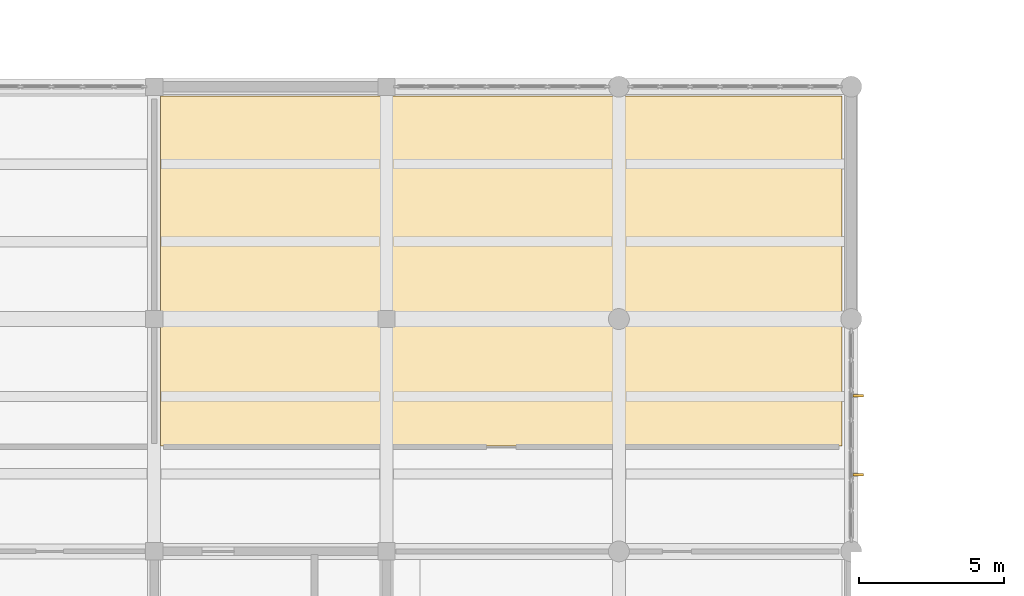
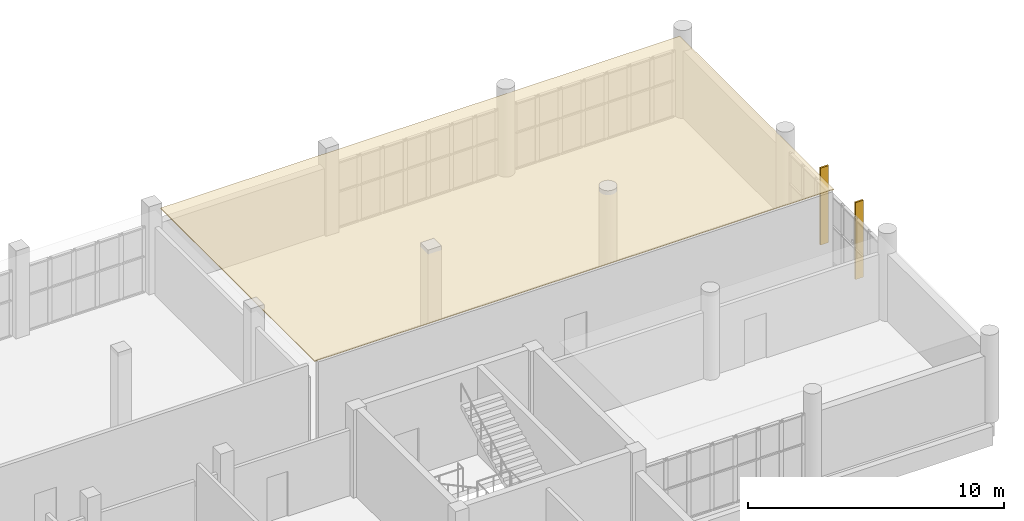
# One storey, part 84 of 85: 2 shading devices, 1 covering.
"""IFC4 building model written with IfcOpenShell, lengths in metres."""

from ifc_helpers import new_model, si_unit, direction, frame, origin, origin_2d, place, context, subcontext, project, spatial, polyline, rectangle, outline, extrude, material, layer, layer_set, type_object, element, save


model = new_model("IFC4")

# Units and contexts
model_context = context("Model", 3, precision=1e-05, world=origin(), true_north=direction((0.0, 1.0)))
body_context = subcontext(model_context, "Body", "Model", "MODEL_VIEW")
ifc_project = project(units=[si_unit("LENGTHUNIT", "METRE"), si_unit("AREAUNIT", "SQUARE_METRE"), si_unit("VOLUMEUNIT", "CUBIC_METRE"), si_unit("PLANEANGLEUNIT", "RADIAN"), si_unit("MASSUNIT", "GRAM", prefix="KILO")], contexts=[model_context])

# Site, building, storey
site_placement = place(None, origin())
site = spatial("IfcSite", under=ifc_project, at=site_placement, CompositionType="ELEMENT")
building_placement = place(site_placement, origin())
building = spatial("IfcBuilding", under=site, at=building_placement, Name="Solvane Community Centre", CompositionType="ELEMENT")
storey_placement = place(building_placement, frame((0.0, 0.0, 5.39990234375)))
storey = spatial("IfcBuildingStorey", under=building, at=storey_placement, Name="L01", CompositionType="ELEMENT", Elevation=5.39990234375)

# Covering
ifc_material_1 = material(Name="Acoustic timber slat ceiling", Category="wood")
ifc_layer = layer(ifc_material_1, 0.0400390625)
ifc_layer_set = layer_set([ifc_layer], Name="Acoustic timber slat ceiling")
covering_type = type_object("IfcCoveringType", Name="Acoustic Timber Slat Suspended Ceiling", PredefinedType="CEILING", material=ifc_layer_set)
covering_placement = place(storey_placement, frame((0.0, 0.0, 3.955078125)))
element("IfcCovering", 1, at=covering_placement, inside=storey, type_object=covering_type, Name="Acoustic Ceiling L01-41", PredefinedType="CEILING", context=body_context, shape_type="SweptSolid", body=[
    extrude(outline(polyline([(60.219970703125, 97.6201171875), (60.219970703125, 109.679931640625), (83.679931640625, 109.679931640625), (83.679931640625, 97.6201171875), (60.219970703125, 97.6201171875)])), origin(), (0.0, 0.0, 1.0), 0.0400390625),
])

# Shading devices
ifc_material_2 = material(Name="Anodised bronze aluminium AW-6063 T6", Category="aluminium")
shading_device_type = type_object("IfcShadingDeviceType", Name="Art Deco Bronze Solar Fin 80x360", PredefinedType="USERDEFINED", material=ifc_material_2)
shading_device_1_placement = place(storey_placement, frame((84.239990234375, 99.360107421875, 0.14990234375), z_axis=(0.0, 0.0, 1.0), x_axis=(0.0, -1.0, 0.0)))
element("IfcShadingDevice", 2, at=shading_device_1_placement, inside=storey, type_object=shading_device_type, Name="Solar Brise-Soleil Fin 47", ObjectType="Solar Brise-Soleil Fin 47", PredefinedType="USERDEFINED", context=body_context, shape_type="SweptSolid", body=[
    extrude(rectangle(XDim=0.080078125, YDim=0.360107421875, at=origin_2d()), origin(), (0.0, 0.0, 1.0), 3.679931640625),
])
shading_device_2_placement = place(storey_placement, frame((84.239990234375, 96.639892578125, 0.14990234375), z_axis=(0.0, 0.0, 1.0), x_axis=(0.0, -1.0, 0.0)))
element("IfcShadingDevice", 3, at=shading_device_2_placement, inside=storey, type_object=shading_device_type, Name="Solar Brise-Soleil Fin 48", ObjectType="Solar Brise-Soleil Fin 48", PredefinedType="USERDEFINED", context=body_context, shape_type="SweptSolid", body=[
    extrude(rectangle(XDim=0.080078125, YDim=0.360107421875, at=origin_2d()), origin(), (0.0, 0.0, 1.0), 3.679931640625),
])

save(model, "model.ifc")
